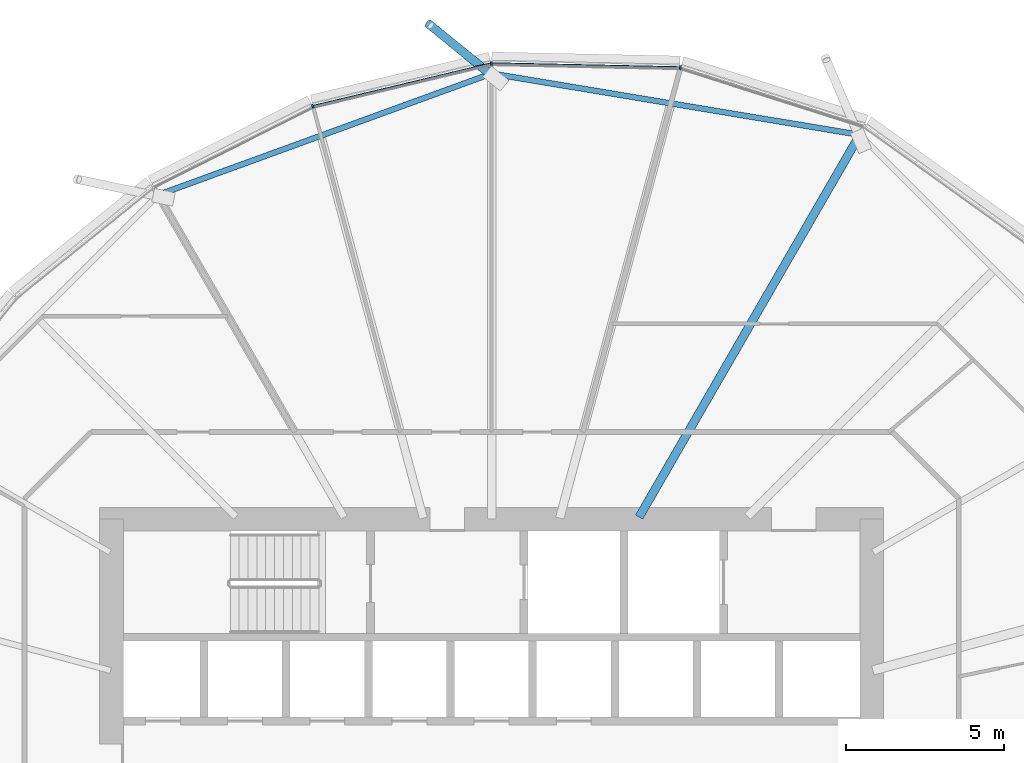
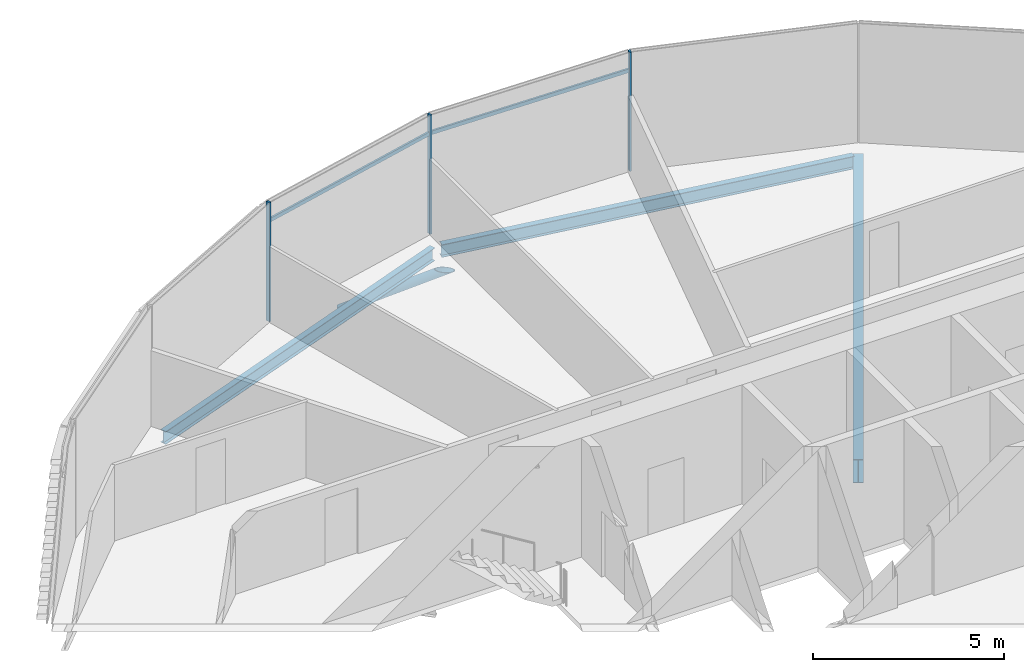
# One storey, part 18 of 40: 6 members, 3 beams, 1 element without a shape of its own.
"""IFC4 building model written with IfcOpenShell, lengths in metres."""

from ifc_helpers import new_model, si_unit, direction, frame, origin, origin_2d, place, context, subcontext, project, spatial, rectangle, hollow_circle, i_section, extrude, clip, halfspace, material, material_profile, profile_set, type_object, element, aggregate, save


model = new_model("IFC4")

# Units and contexts
model_context = context("Model", 3, precision=1e-05, world=origin(), true_north=direction((0.0, 1.0)))
body_context = subcontext(model_context, "Body", "Model", "MODEL_VIEW")
ifc_project = project(units=[si_unit("LENGTHUNIT", "METRE"), si_unit("AREAUNIT", "SQUARE_METRE"), si_unit("VOLUMEUNIT", "CUBIC_METRE"), si_unit("PLANEANGLEUNIT", "RADIAN"), si_unit("MASSUNIT", "GRAM", prefix="KILO")], contexts=[model_context])

# Site, building, storey
site_placement = place(None, origin())
site = spatial("IfcSite", under=ifc_project, at=site_placement, CompositionType="ELEMENT")
building_placement = place(site_placement, origin())
building = spatial("IfcBuilding", under=site, at=building_placement, Name="Rimbun Link Towers", CompositionType="ELEMENT")
storey_placement = place(building_placement, frame((0.0, 0.0, 89.199951171875)))
storey = spatial("IfcBuildingStorey", under=building, at=storey_placement, Name="L21", CompositionType="ELEMENT", Elevation=89.199951171875)

# Curtain wall, members
ifc_material_1 = material(Name="Aluminium 6063-T6 and low-iron glass", Category="aluminium")
curtain_wall_type = type_object("IfcCurtainWallType", Name="CW1-Z2 unitised vision wall (zone 2)", PredefinedType="NOTDEFINED", material=ifc_material_1)
curtain_wall_placement = place(storey_placement, origin())
curtain_wall = element("IfcCurtainWall", 1, at=curtain_wall_placement, inside=storey, type_object=curtain_wall_type, Name="CW1 L21 T2", PredefinedType="NOTDEFINED")
ifc_material_2 = material(Name="Aluminium 6063-T6", Category="aluminium")
ifc_material_profile_1 = material_profile(ifc_material_2, rectangle(XDim=0.1201171875, YDim=0.06005859375, at=origin_2d()), Name="MULLION 60X120")
ifc_profile_set_1 = profile_set([ifc_material_profile_1], Name="Aluminium 6063-T6")
member_type_1 = type_object("IfcMemberType", Name="CW1 mullion 60X120", PredefinedType="MULLION", material=ifc_profile_set_1)
member_1_placement = place(storey_placement, frame((37.709228515625, 22.26220703125, 0.0), z_axis=(0.0, 0.0, 1.0), x_axis=(0.163744728794, 0.986502743935, 0.0)))
member_1 = element("IfcMember", 2, at=member_1_placement, type_object=member_type_1, Name="CW1 mullion", PredefinedType="MULLION", context=body_context, shape_type="SweptSolid", body=[
    extrude(rectangle(XDim=0.1201171875, YDim=0.06005859375, at=origin_2d()), origin(), (0.0, 0.0, 1.0), 3.800048828125),
])
member_2_placement = place(storey_placement, frame((31.74365234375, 22.387939453125, 0.0), z_axis=(0.0, 0.0, 1.0), x_axis=(-0.106634567902, 0.994298279657, 0.0)))
member_2 = element("IfcMember", 3, at=member_2_placement, type_object=member_type_1, Name="CW1 mullion", PredefinedType="MULLION", context=body_context, shape_type="SweptSolid", body=[
    extrude(rectangle(XDim=0.1201171875, YDim=0.06005859375, at=origin_2d()), origin(), (0.0, 0.0, 1.0), 3.800048828125),
])
member_3_placement = place(storey_placement, frame((26.10693359375, 21.0400390625, 0.0), z_axis=(0.0, 0.0, 1.0), x_axis=(-0.342965437423, 0.939348023223, 0.0)))
member_3 = element("IfcMember", 4, at=member_3_placement, type_object=member_type_1, Name="CW1 mullion", PredefinedType="MULLION", context=body_context, shape_type="SweptSolid", body=[
    extrude(rectangle(XDim=0.1201171875, YDim=0.06005859375, at=origin_2d()), origin(), (0.0, 0.0, 1.0), 3.800048828125),
])
ifc_material_3 = material(Name="Aluminium 6063-T6", Category="aluminium")
ifc_material_profile_2 = material_profile(ifc_material_3, rectangle(XDim=0.06005859375, YDim=0.1201171875, at=origin_2d()), Name="TRANSOM 60X120")
ifc_profile_set_2 = profile_set([ifc_material_profile_2], Name="Aluminium 6063-T6")
member_type_2 = type_object("IfcMemberType", Name="CW1 transom 60X120", PredefinedType="USERDEFINED", material=ifc_profile_set_2)
member_4_placement = place(storey_placement, frame((31.78125, 22.3857421875, 3.199951171875), z_axis=(0.999778320072, -0.021054945137, 0.0), x_axis=(0.021054945137, 0.999778320072, 0.0)))
member_4 = element("IfcMember", 5, at=member_4_placement, type_object=member_type_2, Name="CW1 transom", ObjectType="TRANSOM", PredefinedType="USERDEFINED", context=body_context, shape_type="SweptSolid", body=[
    extrude(rectangle(XDim=0.06005859375, YDim=0.1201171875, at=origin_2d()), origin(), (0.0, 0.0, 1.0), 5.890380859375),
])
member_5_placement = place(storey_placement, frame((26.14306640625, 21.047119140625, 3.199951171875), z_axis=(0.972579101494, 0.232572335709, 0.0), x_axis=(-0.232572335709, 0.972579101494, 0.0)))
member_5 = element("IfcMember", 6, at=member_5_placement, type_object=member_type_2, Name="CW1 transom", ObjectType="TRANSOM", PredefinedType="USERDEFINED", context=body_context, shape_type="SweptSolid", body=[
    extrude(rectangle(XDim=0.06005859375, YDim=0.1201171875, at=origin_2d()), origin(), (0.0, 0.0, 1.0), 5.72119140625),
])
aggregate(curtain_wall, [member_1, member_2, member_3, member_4, member_5])

# Member
ifc_material_4 = material(Name="Steel S355J2H", Category="steel")
ifc_material_profile_3 = material_profile(ifc_material_4, hollow_circle(Radius=0.136474609375, WallThickness=0.012451171875, at=origin_2d()), Name="CHS 273x12.5")
ifc_profile_set_3 = profile_set([ifc_material_profile_3], Name="Steel S355J2H")
member_type_3 = type_object("IfcMemberType", Name="Floor edge link CHS 273x12.5", PredefinedType="BRACE", material=ifc_profile_set_3)
member_6_placement = place(storey_placement, frame((31.75, 22.021240234375, -1.041015625), z_axis=(-0.675157180266, 0.549529277328, -0.492118233044), x_axis=(-0.631259469121, -0.775571713412, 0.0)))
element("IfcMember", 7, at=member_6_placement, inside=storey, type_object=member_type_3, Name="Floor edge link T2 L21 03", PredefinedType="BRACE", context=body_context, shape_type="Clipping", body=[
    clip(extrude(hollow_circle(Radius=0.136474609375, WallThickness=0.012451171875, at=origin_2d()), frame((0.0, 0.0, -0.50341796875)), (0.0, 0.0, 1.0), 3.463134765625), halfspace(frame((0.0, 0.0, -0.237548828125), z_axis=(0.0, 0.870528370994, -0.492118233044)), False)),
])

# Beams
ifc_material_5 = material(Name="Steel S355J2", Category="steel")
ifc_material_profile_4 = material_profile(ifc_material_5, i_section(OverallWidth=0.177978515625, OverallDepth=0.406494140625, WebThickness=0.0078125, FlangeThickness=0.0126953125, at=origin_2d()), Name="UB 406x178x60")
ifc_profile_set_4 = profile_set([ifc_material_profile_4], Name="Steel S355J2")
beam_type_1 = type_object("IfcBeamType", Name="UB 406x178x60", PredefinedType="BEAM", material=ifc_profile_set_4)
beam_1_placement = place(storey_placement, frame((43.23388671875, 20.1591796875, -0.363037109375), z_axis=(-0.986421437148, 0.164233822138, 0.0), x_axis=(-0.164233822138, -0.986421437148, 0.0)))
element("IfcBeam", 8, at=beam_1_placement, inside=storey, type_object=beam_type_1, Name="Edge beam T2 L21 01-03", PredefinedType="BEAM", context=body_context, shape_type="SweptSolid", body=[
    extrude(i_section(OverallWidth=0.177978515625, OverallDepth=0.406494140625, WebThickness=0.0078125, FlangeThickness=0.0126953125, at=origin_2d()), origin(), (0.0, 0.0, 1.0), 11.505859375),
])
beam_2_placement = place(storey_placement, frame((31.61572265625, 22.022216796875, -0.363037109375), z_axis=(-0.939640295318, -0.342163872166, 0.0), x_axis=(0.342163872166, -0.939640295318, 0.0)))
element("IfcBeam", 9, at=beam_2_placement, inside=storey, type_object=beam_type_1, Name="Edge beam T2 L21 03-05", PredefinedType="BEAM", context=body_context, shape_type="SweptSolid", body=[
    extrude(i_section(OverallWidth=0.177978515625, OverallDepth=0.406494140625, WebThickness=0.0078125, FlangeThickness=0.0126953125, at=origin_2d()), origin(), (0.0, 0.0, 1.0), 10.946044921875),
])
ifc_material_6 = material(Name="Steel S355J2", Category="steel")
ifc_material_profile_5 = material_profile(ifc_material_6, i_section(OverallWidth=0.2666015625, OverallDepth=0.76220703125, WebThickness=0.014404296875, FlangeThickness=0.021484375, at=origin_2d()), Name="UB 762x267x173")
ifc_profile_set_5 = profile_set([ifc_material_profile_5], Name="Steel S355J2")
beam_type_2 = type_object("IfcBeamType", Name="UB 762x267x173", PredefinedType="BEAM", material=ifc_profile_set_5)
beam_3_placement = place(storey_placement, frame((36.40771484375, 8.0673828125, -0.541015625), z_axis=(0.499999984806, 0.866025412557, 0.0), x_axis=(-0.866025412557, 0.499999984806, 0.0)))
element("IfcBeam", 10, at=beam_3_placement, inside=storey, type_object=beam_type_2, Name="Radial beam T2 L21 01", PredefinedType="BEAM", context=body_context, shape_type="SweptSolid", body=[
    extrude(i_section(OverallWidth=0.2666015625, OverallDepth=0.76220703125, WebThickness=0.014404296875, FlangeThickness=0.021484375, at=origin_2d()), origin(), (0.0, 0.0, 1.0), 13.93505859375),
])

save(model, "model.ifc")
